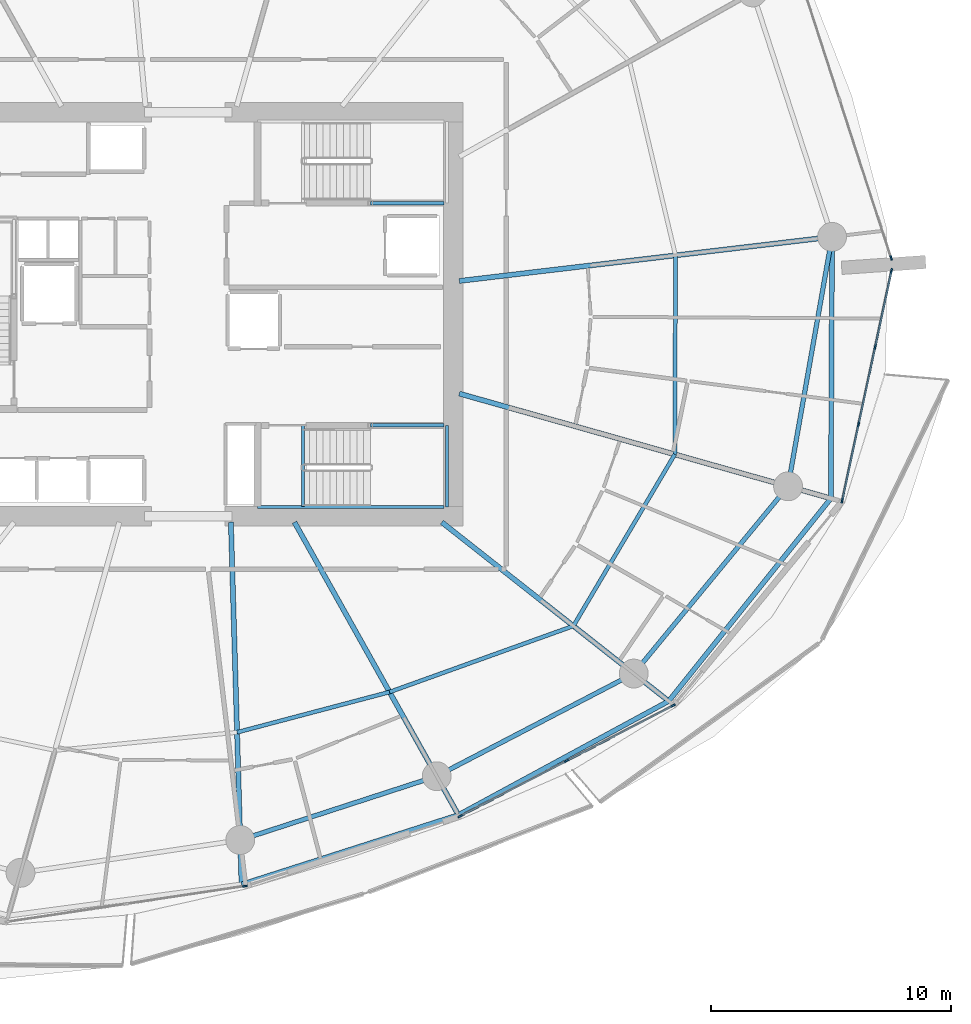
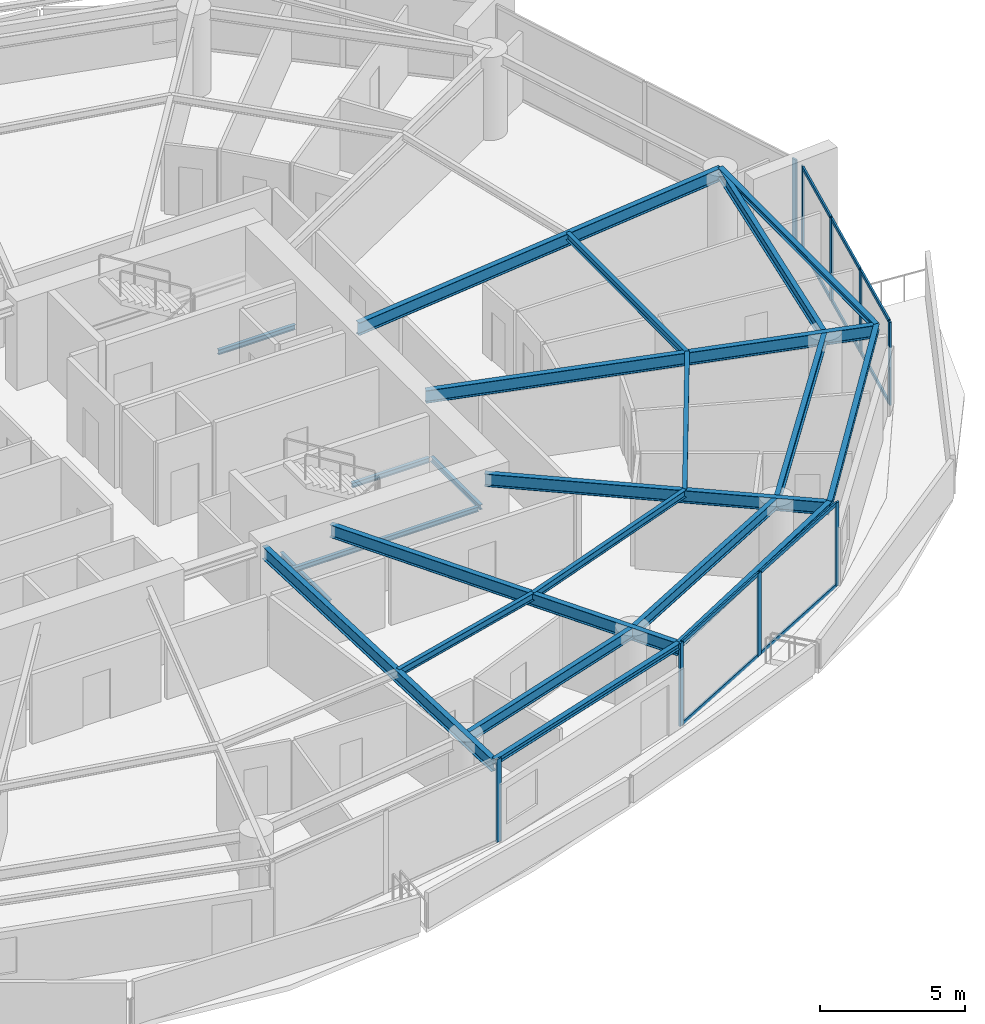
# One storey, part 7 of 23: 22 beams, 19 members, 4 elements without a shape of their own.
"""IFC4 building model written with IfcOpenShell, lengths in metres."""

from ifc_helpers import new_model, si_unit, direction, frame, origin, origin_2d, place, context, subcontext, project, spatial, rectangle, i_section, extrude, material, layer, layer_set, material_profile, profile_set, type_object, element, aggregate, save


model = new_model("IFC4")

# Units and contexts
model_context = context("Model", 3, precision=1e-05, world=origin(), true_north=direction((0.0, 1.0)))
body_context = subcontext(model_context, "Body", "Model", "MODEL_VIEW")
ifc_project = project(units=[si_unit("LENGTHUNIT", "METRE"), si_unit("AREAUNIT", "SQUARE_METRE"), si_unit("VOLUMEUNIT", "CUBIC_METRE"), si_unit("PLANEANGLEUNIT", "RADIAN"), si_unit("MASSUNIT", "GRAM", prefix="KILO")], contexts=[model_context])

# Site, building, storey
site_placement = place(None, origin())
site = spatial("IfcSite", under=ifc_project, at=site_placement, CompositionType="ELEMENT")
building_placement = place(site_placement, origin())
building = spatial("IfcBuilding", under=site, at=building_placement, Name="Kazma Halo Residences", CompositionType="ELEMENT")
storey_placement = place(building_placement, frame((0.0, 0.0, 86.39990234375)))
storey = spatial("IfcBuildingStorey", under=building, at=storey_placement, Name="L21", CompositionType="ELEMENT", Elevation=86.39990234375)

# Beams
ifc_material_1 = material(Name="Steel S355", Category="steel")
ifc_material_profile_1 = material_profile(ifc_material_1, i_section(OverallWidth=0.201904296875, OverallDepth=0.2470703125, WebThickness=0.00732421875, FlangeThickness=0.010986328125, FilletRadius=0.011962890625, at=origin_2d()), Name="W250x49.1")
ifc_profile_set_1 = profile_set([ifc_material_profile_1], Name="Steel S355")
beam_type_1 = type_object("IfcBeamType", Name="BM-BAL-CANT", PredefinedType="BEAM", material=ifc_profile_set_1)
beam_1_placement = place(storey_placement, frame((50.642578125, 18.28173828125, 3.376708984375), z_axis=(0.952319061301, 0.305103925709, 0.0), x_axis=(-0.305103925709, 0.952319061301, 0.0)))
element("IfcBeam", 1, at=beam_1_placement, inside=storey, type_object=beam_type_1, Name="L21 wave-balcony tie beam 12", PredefinedType="BEAM", context=body_context, shape_type="SweptSolid", body=[
    extrude(i_section(OverallWidth=0.201904296875, OverallDepth=0.2470703125, WebThickness=0.00732421875, FlangeThickness=0.010986328125, FilletRadius=0.011962890625, at=origin_2d()), origin(), (0.0, 0.0, 1.0), 9.473388671875),
])
beam_2_placement = place(storey_placement, frame((59.664306640625, 21.172119140625, 3.376708984375), z_axis=(0.87930438671, 0.476260218276, 0.0), x_axis=(-0.476260218276, 0.87930438671, 0.0)))
element("IfcBeam", 2, at=beam_2_placement, inside=storey, type_object=beam_type_1, Name="L21 wave-balcony tie beam 13", PredefinedType="BEAM", context=body_context, shape_type="SweptSolid", body=[
    extrude(i_section(OverallWidth=0.201904296875, OverallDepth=0.2470703125, WebThickness=0.00732421875, FlangeThickness=0.010986328125, FilletRadius=0.011962890625, at=origin_2d()), origin(), (0.0, 0.0, 1.0), 9.94677734375),
])
beam_3_placement = place(storey_placement, frame((68.41064453125, 25.909423828125, 3.376708984375), z_axis=(0.62477775999, 0.78080263231, 0.0), x_axis=(-0.78080263231, 0.62477775999, 0.0)))
element("IfcBeam", 3, at=beam_3_placement, inside=storey, type_object=beam_type_1, Name="L21 wave-balcony tie beam 14", PredefinedType="BEAM", context=body_context, shape_type="SweptSolid", body=[
    extrude(i_section(OverallWidth=0.201904296875, OverallDepth=0.2470703125, WebThickness=0.00732421875, FlangeThickness=0.010986328125, FilletRadius=0.011962890625, at=origin_2d()), origin(), (0.0, 0.0, 1.0), 10.79833984375),
])
beam_4_placement = place(storey_placement, frame((75.1572265625, 34.3408203125, 3.376708984375), z_axis=(0.004532963616, 0.999989726068, 0.0), x_axis=(-0.999989726068, 0.004532963616, 0.0)))
element("IfcBeam", 4, at=beam_4_placement, inside=storey, type_object=beam_type_1, Name="L21 wave-balcony tie beam 15", PredefinedType="BEAM", context=body_context, shape_type="SweptSolid", body=[
    extrude(i_section(OverallWidth=0.201904296875, OverallDepth=0.2470703125, WebThickness=0.00732421875, FlangeThickness=0.010986328125, FilletRadius=0.011962890625, at=origin_2d()), origin(), (0.0, 0.0, 1.0), 10.87939453125),
])
ifc_material_profile_2 = material_profile(ifc_material_1, i_section(OverallWidth=0.208984375, OverallDepth=0.532958984375, WebThickness=0.01025390625, FlangeThickness=0.015625, FilletRadius=0.01611328125, at=origin_2d()), Name="W530x92")
ifc_profile_set_2 = profile_set([ifc_material_profile_2], Name="Steel S355")
beam_type_2 = type_object("IfcBeamType", Name="BM-RAD-W530", PredefinedType="BEAM", material=ifc_profile_set_2)
beam_5_placement = place(storey_placement, frame((50.199951171875, 33.35009765625, 3.233642578125), z_axis=(0.029361929959, -0.999568845587, 0.0), x_axis=(0.999568845587, 0.029361929959, 0.0)))
element("IfcBeam", 5, at=beam_5_placement, inside=storey, type_object=beam_type_2, Name="L21 radial floor beam 12", PredefinedType="BEAM", context=body_context, shape_type="SweptSolid", body=[
    extrude(i_section(OverallWidth=0.208984375, OverallDepth=0.532958984375, WebThickness=0.01025390625, FlangeThickness=0.015625, FilletRadius=0.01611328125, at=origin_2d()), origin(), (0.0, 0.0, 1.0), 15.074951171875),
])
beam_6_placement = place(storey_placement, frame((52.84423828125, 33.35009765625, 3.233642578125), z_axis=(0.488625206529, -0.872493786536, 0.0), x_axis=(0.872493786536, 0.488625206529, 0.0)))
element("IfcBeam", 6, at=beam_6_placement, inside=storey, type_object=beam_type_2, Name="L21 radial floor beam 13", PredefinedType="BEAM", context=body_context, shape_type="SweptSolid", body=[
    extrude(i_section(OverallWidth=0.208984375, OverallDepth=0.532958984375, WebThickness=0.01025390625, FlangeThickness=0.015625, FilletRadius=0.01611328125, at=origin_2d()), origin(), (0.0, 0.0, 1.0), 13.957763671875),
])
beam_7_placement = place(storey_placement, frame((58.972412109375, 33.35009765625, 3.233642578125), z_axis=(0.785309999923, -0.619102741086, 0.0), x_axis=(0.619102741086, 0.785309999923, 0.0)))
element("IfcBeam", 7, at=beam_7_placement, inside=storey, type_object=beam_type_2, Name="L21 radial floor beam 14", PredefinedType="BEAM", context=body_context, shape_type="SweptSolid", body=[
    extrude(i_section(OverallWidth=0.208984375, OverallDepth=0.532958984375, WebThickness=0.01025390625, FlangeThickness=0.015625, FilletRadius=0.01611328125, at=origin_2d()), origin(), (0.0, 0.0, 1.0), 12.0185546875),
])
beam_8_placement = place(storey_placement, frame((59.699951171875, 38.7001953125, 3.233642578125), z_axis=(0.962455684158, -0.271438862419, 0.0), x_axis=(0.271438862419, 0.962455684158, 0.0)))
element("IfcBeam", 8, at=beam_8_placement, inside=storey, type_object=beam_type_2, Name="L21 radial floor beam 15", PredefinedType="BEAM", context=body_context, shape_type="SweptSolid", body=[
    extrude(i_section(OverallWidth=0.208984375, OverallDepth=0.532958984375, WebThickness=0.01025390625, FlangeThickness=0.015625, FilletRadius=0.01611328125, at=origin_2d()), origin(), (0.0, 0.0, 1.0), 16.060302734375),
])
beam_9_placement = place(storey_placement, frame((59.699951171875, 43.384765625, 3.233642578125), z_axis=(0.993067536486, 0.1175451742, 0.0), x_axis=(-0.1175451742, 0.993067536486, 0.0)))
element("IfcBeam", 9, at=beam_9_placement, inside=storey, type_object=beam_type_2, Name="L21 radial floor beam 16", PredefinedType="BEAM", context=body_context, shape_type="SweptSolid", body=[
    extrude(i_section(OverallWidth=0.208984375, OverallDepth=0.532958984375, WebThickness=0.01025390625, FlangeThickness=0.015625, FilletRadius=0.01611328125, at=origin_2d()), origin(), (0.0, 0.0, 1.0), 15.61474609375),
])
ifc_material_profile_3 = material_profile(ifc_material_1, i_section(OverallWidth=0.1650390625, OverallDepth=0.31005859375, WebThickness=0.005859375, FlangeThickness=0.009765625, FilletRadius=0.011962890625, at=origin_2d()), Name="W310x38.7")
ifc_profile_set_3 = profile_set([ifc_material_profile_3], Name="Steel S355")
beam_type_3 = type_object("IfcBeamType", Name="BM-SEC-W310B", PredefinedType="JOIST", material=ifc_profile_set_3)
beam_10_placement = place(storey_placement, frame((50.456787109375, 24.6103515625, 3.34521484375), z_axis=(0.966800191214, 0.255533540398, 0.0), x_axis=(-0.255533540398, 0.966800191214, 0.0)))
element("IfcBeam", 10, at=beam_10_placement, inside=storey, type_object=beam_type_3, Name="L21 circumferential floor joist 12", PredefinedType="JOIST", context=body_context, shape_type="SweptSolid", body=[
    extrude(i_section(OverallWidth=0.1650390625, OverallDepth=0.31005859375, WebThickness=0.005859375, FlangeThickness=0.009765625, FilletRadius=0.011962890625, at=origin_2d()), origin(), (0.0, 0.0, 1.0), 6.560791015625),
])
beam_11_placement = place(storey_placement, frame((56.7998046875, 26.286865234375, 3.34521484375), z_axis=(0.941097126818, 0.338136359913, 0.0), x_axis=(-0.338136359913, 0.941097126818, 0.0)))
element("IfcBeam", 11, at=beam_11_placement, inside=storey, type_object=beam_type_3, Name="L21 circumferential floor joist 13", PredefinedType="JOIST", context=body_context, shape_type="SweptSolid", body=[
    extrude(i_section(OverallWidth=0.1650390625, OverallDepth=0.31005859375, WebThickness=0.005859375, FlangeThickness=0.009765625, FilletRadius=0.011962890625, at=origin_2d()), origin(), (0.0, 0.0, 1.0), 8.12548828125),
])
beam_12_placement = place(storey_placement, frame((64.44677734375, 29.034423828125, 3.34521484375), z_axis=(0.508811652677, 0.860877867122, 0.0), x_axis=(-0.860877867122, 0.508811652677, 0.0)))
element("IfcBeam", 12, at=beam_12_placement, inside=storey, type_object=beam_type_3, Name="L21 circumferential floor joist 14", PredefinedType="JOIST", context=body_context, shape_type="SweptSolid", body=[
    extrude(i_section(OverallWidth=0.1650390625, OverallDepth=0.31005859375, WebThickness=0.005859375, FlangeThickness=0.009765625, FilletRadius=0.011962890625, at=origin_2d()), origin(), (0.0, 0.0, 1.0), 8.291015625),
])
beam_13_placement = place(storey_placement, frame((68.665283203125, 36.171875, 3.34521484375), z_axis=(0.003450899697, 0.999994045628, 0.0), x_axis=(-0.999994045628, 0.003450899697, 0.0)))
element("IfcBeam", 13, at=beam_13_placement, inside=storey, type_object=beam_type_3, Name="L21 circumferential floor joist 15", PredefinedType="JOIST", context=body_context, shape_type="SweptSolid", body=[
    extrude(i_section(OverallWidth=0.1650390625, OverallDepth=0.31005859375, WebThickness=0.005859375, FlangeThickness=0.009765625, FilletRadius=0.011962890625, at=origin_2d()), origin(), (0.0, 0.0, 1.0), 8.27734375),
])
ifc_material_profile_4 = material_profile(ifc_material_1, i_section(OverallWidth=0.18994140625, OverallDepth=0.45703125, WebThickness=0.009033203125, FlangeThickness=0.014404296875, FilletRadius=0.01611328125, at=origin_2d()), Name="W460x74")
ifc_profile_set_4 = profile_set([ifc_material_profile_4], Name="Steel S355")
beam_type_4 = type_object("IfcBeamType", Name="BM-SPN-W460", PredefinedType="BEAM", material=ifc_profile_set_4)
beam_14_placement = place(storey_placement, frame((50.58837890625, 20.130859375, 3.271484375), z_axis=(0.951054111927, 0.30902439416, 0.0), x_axis=(-0.30902439416, 0.951054111927, 0.0)))
element("IfcBeam", 14, at=beam_14_placement, inside=storey, type_object=beam_type_4, Name="L21 perimeter ring beam 12", PredefinedType="BEAM", context=body_context, shape_type="SweptSolid", body=[
    extrude(i_section(OverallWidth=0.18994140625, OverallDepth=0.45703125, WebThickness=0.009033203125, FlangeThickness=0.014404296875, FilletRadius=0.01611328125, at=origin_2d()), origin(), (0.0, 0.0, 1.0), 8.592529296875),
])
beam_15_placement = place(storey_placement, frame((58.76025390625, 22.7861328125, 3.271484375), z_axis=(0.886963229644, 0.461840047266, 0.0), x_axis=(-0.461840047266, 0.886963229644, 0.0)))
element("IfcBeam", 15, at=beam_15_placement, inside=storey, type_object=beam_type_4, Name="L21 perimeter ring beam 13", PredefinedType="BEAM", context=body_context, shape_type="SweptSolid", body=[
    extrude(i_section(OverallWidth=0.18994140625, OverallDepth=0.45703125, WebThickness=0.009033203125, FlangeThickness=0.014404296875, FilletRadius=0.01611328125, at=origin_2d()), origin(), (0.0, 0.0, 1.0), 9.242431640625),
])
beam_16_placement = place(storey_placement, frame((66.9580078125, 27.0546875, 3.271484375), z_axis=(0.635989564566, 0.771697656963, 0.0), x_axis=(-0.771697656963, 0.635989564566, 0.0)))
element("IfcBeam", 16, at=beam_16_placement, inside=storey, type_object=beam_type_4, Name="L21 perimeter ring beam 14", PredefinedType="BEAM", context=body_context, shape_type="SweptSolid", body=[
    extrude(i_section(OverallWidth=0.18994140625, OverallDepth=0.45703125, WebThickness=0.009033203125, FlangeThickness=0.014404296875, FilletRadius=0.01611328125, at=origin_2d()), origin(), (0.0, 0.0, 1.0), 10.092529296875),
])
beam_17_placement = place(storey_placement, frame((73.376708984375, 34.843017578125, 3.271484375), z_axis=(0.173653159051, 0.984806874647, 0.0), x_axis=(-0.984806874647, 0.173653159051, 0.0)))
element("IfcBeam", 17, at=beam_17_placement, inside=storey, type_object=beam_type_4, Name="L21 perimeter ring beam 15", PredefinedType="BEAM", context=body_context, shape_type="SweptSolid", body=[
    extrude(i_section(OverallWidth=0.18994140625, OverallDepth=0.45703125, WebThickness=0.009033203125, FlangeThickness=0.014404296875, FilletRadius=0.01611328125, at=origin_2d()), origin(), (0.0, 0.0, 1.0), 10.537353515625),
])
ifc_material_profile_5 = material_profile(ifc_material_1, i_section(OverallWidth=0.133056640625, OverallDepth=0.20703125, WebThickness=0.005859375, FlangeThickness=0.00830078125, FilletRadius=0.010009765625, at=origin_2d()), Name="W200x26.6")
ifc_profile_set_5 = profile_set([ifc_material_profile_5], Name="Steel S355")
beam_type_5 = type_object("IfcBeamType", Name="BM-TRIM-W200", PredefinedType="BEAM", material=ifc_profile_set_5)
beam_18_placement = place(storey_placement, frame((53.199951171875, 34.0, -0.35986328125), z_axis=(0.0, 1.0, 0.0), x_axis=(-1.0, 0.0, 0.0)))
element("IfcBeam", 18, at=beam_18_placement, inside=storey, type_object=beam_type_5, Name="L21 ST-03 floor landing support beam", PredefinedType="BEAM", context=body_context, shape_type="SweptSolid", body=[
    extrude(i_section(OverallWidth=0.133056640625, OverallDepth=0.20703125, WebThickness=0.005859375, FlangeThickness=0.00830078125, FilletRadius=0.010009765625, at=origin_2d()), origin(), (0.0, 0.0, 1.0), 3.3798828125),
])
beam_19_placement = place(storey_placement, frame((56.0, 46.6201171875, 1.570068359375), z_axis=(1.0, 0.0, 0.0), x_axis=(0.0, 1.0, 0.0)))
element("IfcBeam", 19, at=beam_19_placement, inside=storey, type_object=beam_type_5, Name="L21 ST-02 landing south wall ledger", PredefinedType="BEAM", context=body_context, shape_type="SweptSolid", body=[
    extrude(i_section(OverallWidth=0.133056640625, OverallDepth=0.20703125, WebThickness=0.005859375, FlangeThickness=0.00830078125, FilletRadius=0.010009765625, at=origin_2d()), origin(), (0.0, 0.0, 1.0), 3.070068359375),
])
beam_20_placement = place(storey_placement, frame((51.31005859375, 33.97998046875, 1.570068359375), z_axis=(1.0, 0.0, 0.0), x_axis=(0.0, 1.0, 0.0)))
element("IfcBeam", 20, at=beam_20_placement, inside=storey, type_object=beam_type_5, Name="L21 ST-03 landing south wall ledger", PredefinedType="BEAM", context=body_context, shape_type="SweptSolid", body=[
    extrude(i_section(OverallWidth=0.133056640625, OverallDepth=0.20703125, WebThickness=0.005859375, FlangeThickness=0.00830078125, FilletRadius=0.010009765625, at=origin_2d()), origin(), (0.0, 0.0, 1.0), 7.760009765625),
])
beam_21_placement = place(storey_placement, frame((56.0, 37.3798828125, 1.570068359375), z_axis=(1.0, 0.0, 0.0), x_axis=(0.0, 1.0, 0.0)))
element("IfcBeam", 21, at=beam_21_placement, inside=storey, type_object=beam_type_5, Name="L21 ST-03 landing north wall ledger", PredefinedType="BEAM", context=body_context, shape_type="SweptSolid", body=[
    extrude(i_section(OverallWidth=0.133056640625, OverallDepth=0.20703125, WebThickness=0.005859375, FlangeThickness=0.00830078125, FilletRadius=0.010009765625, at=origin_2d()), origin(), (0.0, 0.0, 1.0), 3.070068359375),
])
beam_22_placement = place(storey_placement, frame((59.18994140625, 33.97998046875, 1.570068359375), z_axis=(0.0, 1.0, 0.0), x_axis=(-1.0, 0.0, 0.0)))
element("IfcBeam", 22, at=beam_22_placement, inside=storey, type_object=beam_type_5, Name="L21 ST-03 landing end wall ledger", PredefinedType="BEAM", context=body_context, shape_type="SweptSolid", body=[
    extrude(i_section(OverallWidth=0.133056640625, OverallDepth=0.20703125, WebThickness=0.005859375, FlangeThickness=0.00830078125, FilletRadius=0.010009765625, at=origin_2d()), origin(), (0.0, 0.0, 1.0), 3.39990234375),
])

# Curtain wall, member
ifc_material_2 = material(Name="Aluminium AW-6063 T6 and Triple-Silver Low-E Glass", Category="aluminium")
ifc_layer = layer(ifc_material_2, 0.199951171875)
ifc_layer_set = layer_set([ifc_layer], Name="Aluminium AW-6063 T6 and Triple-Silver Low-E Glass")
curtain_wall_type = type_object("IfcCurtainWallType", Name="CW-SYS-3", PredefinedType="NOTDEFINED", material=ifc_layer_set)
curtain_wall_1_placement = place(storey_placement, origin())
curtain_wall_1 = element("IfcCurtainWall", 23, at=curtain_wall_1_placement, inside=storey, type_object=curtain_wall_type, Name="L21 unitised curtain wall B11", PredefinedType="NOTDEFINED")
ifc_material_3 = material(Name="Aluminium AW-6063 T6", Category="aluminium")
ifc_material_profile_6 = material_profile(ifc_material_3, rectangle(XDim=0.070068359375, YDim=0.199951171875, at=origin_2d()), Name="CWM-70x200")
ifc_profile_set_6 = profile_set([ifc_material_profile_6], Name="Aluminium AW-6063 T6")
member_type_1 = type_object("IfcMemberType", Name="CW-SYS-3-MUL", PredefinedType="MULLION", material=ifc_profile_set_6)
member_1_placement = place(storey_placement, frame((50.780029296875, 18.21337890625, 0.0), z_axis=(0.0, 0.0, 1.0), x_axis=(-0.148717330409, 0.988879747814, 0.0)))
member_1 = element("IfcMember", 24, at=member_1_placement, type_object=member_type_1, Name="CWS-3 mullion 3", PredefinedType="MULLION", context=body_context, shape_type="SweptSolid", body=[
    extrude(rectangle(XDim=0.070068359375, YDim=0.199951171875, at=origin_2d()), origin(), (0.0, 0.0, 1.0), 3.5),
])
aggregate(curtain_wall_1, [member_1])

# Curtain wall, members
curtain_wall_2_placement = place(storey_placement, origin())
curtain_wall_2 = element("IfcCurtainWall", 25, at=curtain_wall_2_placement, inside=storey, type_object=curtain_wall_type, Name="L21 unitised curtain wall B13", PredefinedType="NOTDEFINED")
member_2_placement = place(storey_placement, frame((59.732177734375, 21.1220703125, 0.0), z_axis=(0.0, 0.0, 1.0), x_axis=(-0.460932159481, 0.887435374749, 0.0)))
member_2 = element("IfcMember", 26, at=member_2_placement, type_object=member_type_1, Name="CWS-3 mullion 1", PredefinedType="MULLION", context=body_context, shape_type="SweptSolid", body=[
    extrude(rectangle(XDim=0.070068359375, YDim=0.199951171875, at=origin_2d()), origin(), (0.0, 0.0, 1.0), 3.5),
])
member_3_placement = place(storey_placement, frame((64.1630859375, 23.42333984375, 0.0), z_axis=(0.0, 0.0, 1.0), x_axis=(-0.460932159481, 0.887435374749, 0.0)))
member_3 = element("IfcMember", 27, at=member_3_placement, type_object=member_type_1, Name="CWS-3 mullion 2", PredefinedType="MULLION", context=body_context, shape_type="SweptSolid", body=[
    extrude(rectangle(XDim=0.070068359375, YDim=0.199951171875, at=origin_2d()), origin(), (0.0, 0.0, 1.0), 3.5),
])
member_4_placement = place(storey_placement, frame((68.59375, 25.724609375, 0.0), z_axis=(0.0, 0.0, 1.0), x_axis=(-0.460932159481, 0.887435374749, 0.0)))
member_4 = element("IfcMember", 28, at=member_4_placement, type_object=member_type_1, Name="CWS-3 mullion 3", PredefinedType="MULLION", context=body_context, shape_type="SweptSolid", body=[
    extrude(rectangle(XDim=0.070068359375, YDim=0.199951171875, at=origin_2d()), origin(), (0.0, 0.0, 1.0), 3.5),
])

curtain_wall_3_placement = place(storey_placement, origin())
curtain_wall_3 = element("IfcCurtainWall", 29, at=curtain_wall_3_placement, inside=storey, type_object=curtain_wall_type, Name="L21 unitised curtain wall B15", PredefinedType="NOTDEFINED")
member_5_placement = place(storey_placement, frame((75.6259765625, 34.244873046875, 0.0), z_axis=(0.0, 0.0, 1.0), x_axis=(-0.977774176093, 0.209660822677, 0.0)))
member_5 = element("IfcMember", 30, at=member_5_placement, type_object=member_type_1, Name="CWS-3 mullion 1", PredefinedType="MULLION", context=body_context, shape_type="SweptSolid", body=[
    extrude(rectangle(XDim=0.070068359375, YDim=0.199951171875, at=origin_2d()), origin(), (0.0, 0.0, 1.0), 3.5),
])
member_6_placement = place(storey_placement, frame((76.30712890625, 37.4208984375, 0.0), z_axis=(0.0, 0.0, 1.0), x_axis=(-0.977774176093, 0.209660822677, 0.0)))
member_6 = element("IfcMember", 31, at=member_6_placement, type_object=member_type_1, Name="CWS-3 mullion 2", PredefinedType="MULLION", context=body_context, shape_type="SweptSolid", body=[
    extrude(rectangle(XDim=0.070068359375, YDim=0.199951171875, at=origin_2d()), origin(), (0.0, 0.0, 1.0), 3.5),
])
member_7_placement = place(storey_placement, frame((76.995361328125, 40.63134765625, 0.0), z_axis=(0.0, 0.0, 1.0), x_axis=(-0.977774176093, 0.209660822677, 0.0)))
member_7 = element("IfcMember", 32, at=member_7_placement, type_object=member_type_1, Name="CWS-3 mullion 3", PredefinedType="MULLION", context=body_context, shape_type="SweptSolid", body=[
    extrude(rectangle(XDim=0.070068359375, YDim=0.199951171875, at=origin_2d()), origin(), (0.0, 0.0, 1.0), 3.5),
])
member_8_placement = place(storey_placement, frame((77.676513671875, 43.807373046875, 0.0), z_axis=(0.0, 0.0, 1.0), x_axis=(-0.977774176093, 0.209660822677, 0.0)))
member_8 = element("IfcMember", 33, at=member_8_placement, type_object=member_type_1, Name="CWS-3 mullion 4", PredefinedType="MULLION", context=body_context, shape_type="SweptSolid", body=[
    extrude(rectangle(XDim=0.070068359375, YDim=0.199951171875, at=origin_2d()), origin(), (0.0, 0.0, 1.0), 3.5),
])

# Curtain wall, member
curtain_wall_4_placement = place(storey_placement, origin())
curtain_wall_4 = element("IfcCurtainWall", 34, at=curtain_wall_4_placement, inside=storey, type_object=curtain_wall_type, Name="L21 unitised curtain wall B16", PredefinedType="NOTDEFINED")
member_9_placement = place(storey_placement, frame((77.665283203125, 44.3427734375, 0.0), z_axis=(0.0, 0.0, 1.0), x_axis=(-0.951057722508, -0.309013282008, 0.0)))
member_9 = element("IfcMember", 35, at=member_9_placement, type_object=member_type_1, Name="CWS-3 mullion 1", PredefinedType="MULLION", context=body_context, shape_type="SweptSolid", body=[
    extrude(rectangle(XDim=0.070068359375, YDim=0.199951171875, at=origin_2d()), origin(), (0.0, 0.0, 1.0), 3.5),
])
aggregate(curtain_wall_4, [member_9])

# Member
ifc_material_profile_7 = material_profile(ifc_material_3, rectangle(XDim=0.070068359375, YDim=0.14990234375, at=origin_2d()), Name="CWT-70x150")
ifc_profile_set_7 = profile_set([ifc_material_profile_7], Name="Aluminium AW-6063 T6")
member_type_2 = type_object("IfcMemberType", Name="CW-SYS-3-TRN", PredefinedType="USERDEFINED", material=ifc_profile_set_7)
member_10_placement = place(storey_placement, frame((59.763427734375, 21.13818359375, 0.03515625), z_axis=(0.887427024944, 0.460948235054, 0.0), x_axis=(-0.460948235054, 0.887427024944, 0.0)))
member_10 = element("IfcMember", 36, at=member_10_placement, type_object=member_type_2, Name="CWS-3 transom 1.1", ObjectType="TRANSOM", PredefinedType="USERDEFINED", context=body_context, shape_type="SweptSolid", body=[
    extrude(rectangle(XDim=0.070068359375, YDim=0.14990234375, at=origin_2d()), origin(), (0.0, 0.0, 1.0), 4.922607421875),
])

member_11_placement = place(storey_placement, frame((59.763427734375, 21.13818359375, 3.465087890625), z_axis=(0.887427024944, 0.460948235054, 0.0), x_axis=(-0.460948235054, 0.887427024944, 0.0)))
member_11 = element("IfcMember", 37, at=member_11_placement, type_object=member_type_2, Name="CWS-3 transom 1.2", ObjectType="TRANSOM", PredefinedType="USERDEFINED", context=body_context, shape_type="SweptSolid", body=[
    extrude(rectangle(XDim=0.070068359375, YDim=0.14990234375, at=origin_2d()), origin(), (0.0, 0.0, 1.0), 4.922607421875),
])

member_12_placement = place(storey_placement, frame((64.194091796875, 23.439453125, 0.03515625), z_axis=(0.887437562141, 0.460927948058, 0.0), x_axis=(-0.460927948058, 0.887437562141, 0.0)))
member_12 = element("IfcMember", 38, at=member_12_placement, type_object=member_type_2, Name="CWS-3 transom 2.1", ObjectType="TRANSOM", PredefinedType="USERDEFINED", context=body_context, shape_type="SweptSolid", body=[
    extrude(rectangle(XDim=0.070068359375, YDim=0.14990234375, at=origin_2d()), origin(), (0.0, 0.0, 1.0), 4.9228515625),
])

member_13_placement = place(storey_placement, frame((64.194091796875, 23.439453125, 3.465087890625), z_axis=(0.887437562141, 0.460927948058, 0.0), x_axis=(-0.460927948058, 0.887437562141, 0.0)))
member_13 = element("IfcMember", 39, at=member_13_placement, type_object=member_type_2, Name="CWS-3 transom 2.2", ObjectType="TRANSOM", PredefinedType="USERDEFINED", context=body_context, shape_type="SweptSolid", body=[
    extrude(rectangle(XDim=0.070068359375, YDim=0.14990234375, at=origin_2d()), origin(), (0.0, 0.0, 1.0), 4.9228515625),
])

aggregate(curtain_wall_2, [member_2, member_3, member_4, member_10, member_11, member_12, member_13])

member_14_placement = place(storey_placement, frame((75.63330078125, 34.279052734375, 0.03515625), z_axis=(0.209702197956, 0.977765303216, 0.0), x_axis=(-0.977765303216, 0.209702197956, 0.0)))
member_14 = element("IfcMember", 40, at=member_14_placement, type_object=member_type_2, Name="CWS-3 transom 1.1", ObjectType="TRANSOM", PredefinedType="USERDEFINED", context=body_context, shape_type="SweptSolid", body=[
    extrude(rectangle(XDim=0.070068359375, YDim=0.14990234375, at=origin_2d()), origin(), (0.0, 0.0, 1.0), 3.17822265625),
])

member_15_placement = place(storey_placement, frame((75.63330078125, 34.279052734375, 3.465087890625), z_axis=(0.209702197956, 0.977765303216, 0.0), x_axis=(-0.977765303216, 0.209702197956, 0.0)))
member_15 = element("IfcMember", 41, at=member_15_placement, type_object=member_type_2, Name="CWS-3 transom 1.2", ObjectType="TRANSOM", PredefinedType="USERDEFINED", context=body_context, shape_type="SweptSolid", body=[
    extrude(rectangle(XDim=0.070068359375, YDim=0.14990234375, at=origin_2d()), origin(), (0.0, 0.0, 1.0), 3.17822265625),
])

member_16_placement = place(storey_placement, frame((76.314453125, 37.455078125, 0.03515625), z_axis=(0.209627675811, 0.977781283076, 0.0), x_axis=(-0.977781283076, 0.209627675811, 0.0)))
member_16 = element("IfcMember", 42, at=member_16_placement, type_object=member_type_2, Name="CWS-3 transom 2.1", ObjectType="TRANSOM", PredefinedType="USERDEFINED", context=body_context, shape_type="SweptSolid", body=[
    extrude(rectangle(XDim=0.070068359375, YDim=0.14990234375, at=origin_2d()), origin(), (0.0, 0.0, 1.0), 3.213134765625),
])

member_17_placement = place(storey_placement, frame((76.314453125, 37.455078125, 3.465087890625), z_axis=(0.209627675811, 0.977781283076, 0.0), x_axis=(-0.977781283076, 0.209627675811, 0.0)))
member_17 = element("IfcMember", 43, at=member_17_placement, type_object=member_type_2, Name="CWS-3 transom 2.2", ObjectType="TRANSOM", PredefinedType="USERDEFINED", context=body_context, shape_type="SweptSolid", body=[
    extrude(rectangle(XDim=0.070068359375, YDim=0.14990234375, at=origin_2d()), origin(), (0.0, 0.0, 1.0), 3.213134765625),
])

member_18_placement = place(storey_placement, frame((77.002685546875, 40.66552734375, 0.03515625), z_axis=(0.209717949017, 0.977761924939, 0.0), x_axis=(-0.977761924939, 0.209717949017, 0.0)))
member_18 = element("IfcMember", 44, at=member_18_placement, type_object=member_type_2, Name="CWS-3 transom 3.1", ObjectType="TRANSOM", PredefinedType="USERDEFINED", context=body_context, shape_type="SweptSolid", body=[
    extrude(rectangle(XDim=0.070068359375, YDim=0.14990234375, at=origin_2d()), origin(), (0.0, 0.0, 1.0), 3.177978515625),
])

member_19_placement = place(storey_placement, frame((77.002685546875, 40.66552734375, 3.465087890625), z_axis=(0.209717949017, 0.977761924939, 0.0), x_axis=(-0.977761924939, 0.209717949017, 0.0)))
member_19 = element("IfcMember", 45, at=member_19_placement, type_object=member_type_2, Name="CWS-3 transom 3.2", ObjectType="TRANSOM", PredefinedType="USERDEFINED", context=body_context, shape_type="SweptSolid", body=[
    extrude(rectangle(XDim=0.070068359375, YDim=0.14990234375, at=origin_2d()), origin(), (0.0, 0.0, 1.0), 3.177978515625),
])

aggregate(curtain_wall_3, [member_5, member_6, member_7, member_8, member_14, member_15, member_16, member_17, member_18, member_19])

save(model, "model.ifc")
